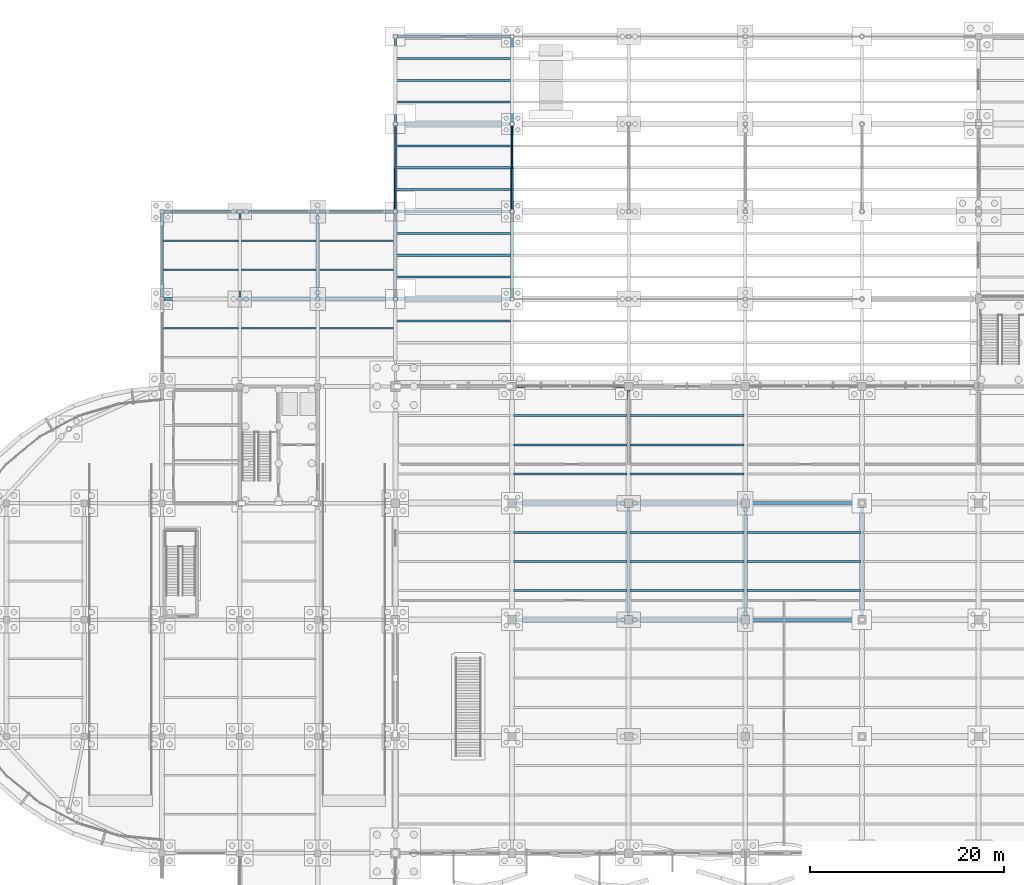
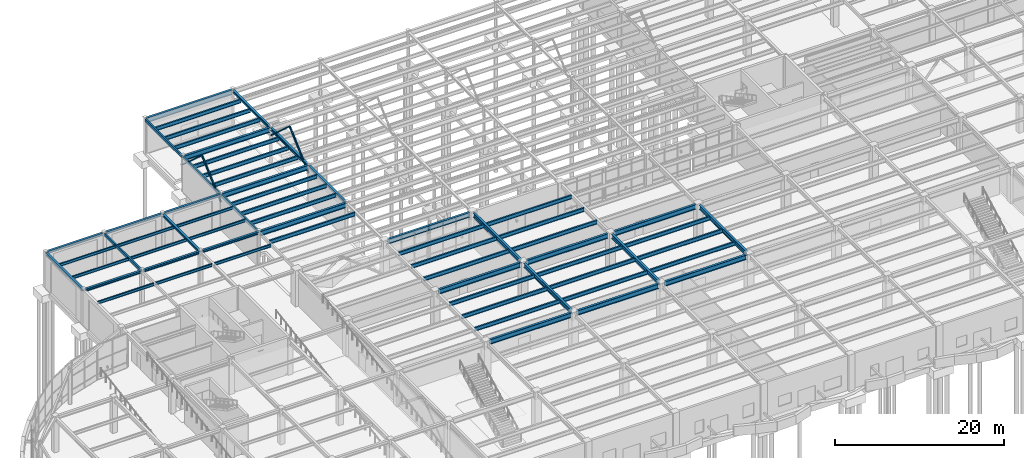
# One storey, part 35 of 85: 64 beams, 4 members.
"""IFC4 building model written with IfcOpenShell, lengths in metres."""

from ifc_helpers import new_model, si_unit, direction, frame, origin, origin_2d, place, context, subcontext, project, spatial, hollow_rectangle, hollow_circle, i_section, extrude, material, material_profile, profile_set, type_object, element, save


model = new_model("IFC4")

# Units and contexts
model_context = context("Model", 3, precision=1e-05, world=origin(), true_north=direction((0.0, 1.0)))
body_context = subcontext(model_context, "Body", "Model", "MODEL_VIEW")
ifc_project = project(units=[si_unit("LENGTHUNIT", "METRE"), si_unit("AREAUNIT", "SQUARE_METRE"), si_unit("VOLUMEUNIT", "CUBIC_METRE"), si_unit("PLANEANGLEUNIT", "RADIAN"), si_unit("MASSUNIT", "GRAM", prefix="KILO")], contexts=[model_context])

# Site, building, storey
site_placement = place(None, origin())
site = spatial("IfcSite", under=ifc_project, at=site_placement, CompositionType="ELEMENT")
building_placement = place(site_placement, origin())
building = spatial("IfcBuilding", under=site, at=building_placement, Name="Keelwater Ferry Terminal", CompositionType="ELEMENT")
storey_placement = place(building_placement, origin())
storey = spatial("IfcBuildingStorey", under=building, at=storey_placement, Name="L00", CompositionType="ELEMENT", Elevation=0.0)

# Beams
ifc_material_1 = material(Name="Steel S355", Category="steel")
ifc_material_profile_1 = material_profile(ifc_material_1, i_section(OverallWidth=0.300048828125, OverallDepth=0.699951171875, WebThickness=0.01708984375, FlangeThickness=0.031982421875, at=origin_2d()), Name="HEB 700")
ifc_profile_set_1 = profile_set([ifc_material_profile_1], Name="Steel S355")
beam_type_1 = type_object("IfcBeamType", Name="G2 HEB 700", PredefinedType="BEAM", material=ifc_profile_set_1)
for number, where, z_axis, x_axis, name in (
    (1, (60.416015625, 66.0, 4.7099609375), (1.0, 0.0, 0.0), (0.0, 1.0, 0.0), "Beam BM-L00-0055"),
    (2, (72.416015625, 66.0, 4.7099609375), (1.0, 0.0, 0.0), (0.0, 1.0, 0.0), "Beam BM-L00-0056"),
    (3, (84.416015625, 66.0, 4.7099609375), (1.0, 0.0, 0.0), (0.0, 1.0, 0.0), "Beam BM-L00-0057"),
    (4, (60.416015625, 78.0, 4.7099609375), (1.0, 0.0, 0.0), (0.0, 1.0, 0.0), "Beam BM-L00-0073"),
    (5, (72.416015625, 78.0, 4.7099609375), (1.0, 0.0, 0.0), (0.0, 1.0, 0.0), "Beam BM-L00-0074"),
    (6, (84.416015625, 78.0, 4.7099609375), (1.0, 0.0, 0.0), (0.0, 1.0, 0.0), "Beam BM-L00-0075"),
):
    element("IfcBeam", number, at=place(storey_placement, frame(where, z_axis=z_axis, x_axis=x_axis)), inside=storey, type_object=beam_type_1, Name=name, PredefinedType="BEAM", context=body_context, shape_type="SweptSolid", body=[
        extrude(i_section(OverallWidth=0.300048828125, OverallDepth=0.699951171875, WebThickness=0.01708984375, FlangeThickness=0.031982421875, at=origin_2d()), origin(), (0.0, 0.0, 1.0), 11.16796875),
    ])
beam_1_placement = place(storey_placement, frame((48.1669921875, 117.0, 4.7099609375), z_axis=(1.0, 0.0, 0.0), x_axis=(0.0, 1.0, 0.0)))
element("IfcBeam", 7, at=beam_1_placement, inside=storey, type_object=beam_type_1, Name="Beam BM-L00-0133", PredefinedType="BEAM", context=body_context, shape_type="SweptSolid", body=[
    extrude(i_section(OverallWidth=0.300048828125, OverallDepth=0.699951171875, WebThickness=0.01708984375, FlangeThickness=0.031982421875, at=origin_2d()), origin(), (0.0, 0.0, 1.0), 11.666015625),
])
ifc_material_2 = material(Name="Steel S355", Category="steel")
ifc_material_profile_2 = material_profile(ifc_material_2, i_section(OverallWidth=0.300048828125, OverallDepth=0.699951171875, WebThickness=0.01708984375, FlangeThickness=0.031982421875, at=origin_2d()), Name="HEB 700")
ifc_profile_set_2 = profile_set([ifc_material_profile_2], Name="Steel S355")
beam_type_2 = type_object("IfcBeamType", Name="G2E HEB 700", PredefinedType="BEAM", material=ifc_profile_set_2)
beam_2_placement = place(storey_placement, frame((60.416015625, 90.0, 4.7099609375), z_axis=(1.0, 0.0, 0.0), x_axis=(0.0, 1.0, 0.0)))
element("IfcBeam", 8, at=beam_2_placement, inside=storey, type_object=beam_type_2, Name="Beam BM-L00-0089", PredefinedType="BEAM", context=body_context, shape_type="SweptSolid", body=[
    extrude(i_section(OverallWidth=0.300048828125, OverallDepth=0.699951171875, WebThickness=0.01708984375, FlangeThickness=0.031982421875, at=origin_2d()), origin(), (0.0, 0.0, 1.0), 11.16796875),
])
for number, where, z_axis, x_axis, name in (
    (9, (48.1669921875, 99.0, 4.7099609375), (1.0, 0.0, 0.0), (0.0, 1.0, 0.0), "Beam BM-L00-0104"),
    (10, (48.1669921875, 108.0, 4.7099609375), (1.0, 0.0, 0.0), (0.0, 1.0, 0.0), "Beam BM-L00-0120"),
    (11, (48.1669921875, 126.0, 4.7099609375), (1.0, 0.0, 0.0), (0.0, 1.0, 0.0), "Beam BM-L00-0146"),
):
    element("IfcBeam", number, at=place(storey_placement, frame(where, z_axis=z_axis, x_axis=x_axis)), inside=storey, type_object=beam_type_2, Name=name, PredefinedType="BEAM", context=body_context, shape_type="SweptSolid", body=[
        extrude(i_section(OverallWidth=0.300048828125, OverallDepth=0.699951171875, WebThickness=0.01708984375, FlangeThickness=0.031982421875, at=origin_2d()), origin(), (0.0, 0.0, 1.0), 11.666015625),
    ])
ifc_material_3 = material(Name="Steel S355", Category="steel")
ifc_material_profile_3 = material_profile(ifc_material_3, i_section(OverallWidth=0.300048828125, OverallDepth=0.60009765625, WebThickness=0.015380859375, FlangeThickness=0.030029296875, at=origin_2d()), Name="HEB 600")
ifc_profile_set_3 = profile_set([ifc_material_profile_3], Name="Steel S355")
beam_type_3 = type_object("IfcBeamType", Name="G3 HEB 600", PredefinedType="BEAM", material=ifc_profile_set_3)
for number, where, z_axis, x_axis, name in (
    (12, (72.0, 66.416015625, 4.760009765625), (0.0, 1.0, 0.0), (-1.0, 0.0, 0.0), "Beam BM-L00-0206"),
    (13, (72.0, 78.416015625, 4.760009765625), (0.0, 1.0, 0.0), (-1.0, 0.0, 0.0), "Beam BM-L00-0207"),
    (14, (84.0, 66.416015625, 4.760009765625), (0.0, 1.0, 0.0), (-1.0, 0.0, 0.0), "Beam BM-L00-0214"),
    (15, (96.0, 66.416015625, 4.760009765625), (0.0, 1.0, 0.0), (-1.0, 0.0, 0.0), "Beam BM-L00-0222"),
):
    element("IfcBeam", number, at=place(storey_placement, frame(where, z_axis=z_axis, x_axis=x_axis)), inside=storey, type_object=beam_type_3, Name=name, PredefinedType="BEAM", context=body_context, shape_type="SweptSolid", body=[
        extrude(i_section(OverallWidth=0.300048828125, OverallDepth=0.60009765625, WebThickness=0.015380859375, FlangeThickness=0.030029296875, at=origin_2d()), origin(), (0.0, 0.0, 1.0), 11.16796875),
    ])
ifc_material_4 = material(Name="Steel S355", Category="steel")
ifc_material_profile_4 = material_profile(ifc_material_4, i_section(OverallWidth=0.300048828125, OverallDepth=0.39990234375, WebThickness=0.013427734375, FlangeThickness=0.02392578125, at=origin_2d()), Name="HEB 400")
ifc_profile_set_4 = profile_set([ifc_material_profile_4], Name="Steel S355")
beam_type_4 = type_object("IfcBeamType", Name="G7 HEB 400", PredefinedType="BEAM", material=ifc_profile_set_4)
for number, where, z_axis, x_axis, name in (
    (16, (24.0, 99.219970703125, 4.860107421875), (0.0, 1.0, 0.0), (-1.0, 0.0, 0.0), "Beam BM-L00-0163"),
    (17, (40.0, 99.219970703125, 4.860107421875), (0.0, 1.0, 0.0), (-1.0, 0.0, 0.0), "Beam BM-L00-0183"),
):
    element("IfcBeam", number, at=place(storey_placement, frame(where, z_axis=z_axis, x_axis=x_axis)), inside=storey, type_object=beam_type_4, Name=name, PredefinedType="BEAM", context=body_context, shape_type="SweptSolid", body=[
        extrude(i_section(OverallWidth=0.300048828125, OverallDepth=0.39990234375, WebThickness=0.013427734375, FlangeThickness=0.02392578125, at=origin_2d()), origin(), (0.0, 0.0, 1.0), 8.56005859375),
    ])
for number, where, z_axis, x_axis, name in (
    (18, (60.0, 99.1669921875, 4.860107421875), (0.0, 1.0, 0.0), (-1.0, 0.0, 0.0), "Beam BM-L00-0201"),
    (19, (60.0, 108.1669921875, 4.860107421875), (0.0, 1.0, 0.0), (-1.0, 0.0, 0.0), "Beam BM-L00-0202"),
    (20, (60.0, 117.1669921875, 4.860107421875), (0.0, 1.0, 0.0), (-1.0, 0.0, 0.0), "Beam BM-L00-0203"),
):
    element("IfcBeam", number, at=place(storey_placement, frame(where, z_axis=z_axis, x_axis=x_axis)), inside=storey, type_object=beam_type_4, Name=name, PredefinedType="BEAM", context=body_context, shape_type="SweptSolid", body=[
        extrude(i_section(OverallWidth=0.300048828125, OverallDepth=0.39990234375, WebThickness=0.013427734375, FlangeThickness=0.02392578125, at=origin_2d()), origin(), (0.0, 0.0, 1.0), 8.666015625),
    ])
ifc_material_5 = material(Name="Steel S355", Category="steel")
ifc_material_profile_5 = material_profile(ifc_material_5, i_section(OverallWidth=0.2099609375, OverallDepth=0.550048828125, WebThickness=0.010986328125, FlangeThickness=0.01708984375, at=origin_2d()), Name="IPE 550")
ifc_profile_set_5 = profile_set([ifc_material_profile_5], Name="Steel S355")
beam_type_5 = type_object("IfcBeamType", Name="J2 IPE 550", PredefinedType="JOIST", material=ifc_profile_set_5)
for number, where, z_axis, x_axis, name in (
    (21, (48.10009765625, 96.75, 4.784912109375), (1.0, 0.0, 0.0), (0.0, 1.0, 0.0), "Beam BM-L00-0356"),
    (22, (48.10009765625, 101.25, 4.784912109375), (1.0, 0.0, 0.0), (0.0, 1.0, 0.0), "Beam BM-L00-0357"),
    (23, (48.10009765625, 103.5, 4.784912109375), (1.0, 0.0, 0.0), (0.0, 1.0, 0.0), "Beam BM-L00-0358"),
    (24, (48.10009765625, 105.75, 4.784912109375), (1.0, 0.0, 0.0), (0.0, 1.0, 0.0), "Beam BM-L00-0359"),
    (25, (48.10009765625, 110.25, 4.784912109375), (1.0, 0.0, 0.0), (0.0, 1.0, 0.0), "Beam BM-L00-0360"),
    (26, (48.10009765625, 112.5, 4.784912109375), (1.0, 0.0, 0.0), (0.0, 1.0, 0.0), "Beam BM-L00-0361"),
    (27, (48.10009765625, 114.75, 4.784912109375), (1.0, 0.0, 0.0), (0.0, 1.0, 0.0), "Beam BM-L00-0362"),
    (28, (48.10009765625, 119.25, 4.784912109375), (1.0, 0.0, 0.0), (0.0, 1.0, 0.0), "Beam BM-L00-0363"),
    (29, (48.10009765625, 121.5, 4.784912109375), (1.0, 0.0, 0.0), (0.0, 1.0, 0.0), "Beam BM-L00-0364"),
    (30, (48.10009765625, 123.75, 4.784912109375), (1.0, 0.0, 0.0), (0.0, 1.0, 0.0), "Beam BM-L00-0365"),
):
    element("IfcBeam", number, at=place(storey_placement, frame(where, z_axis=z_axis, x_axis=x_axis)), inside=storey, type_object=beam_type_5, Name=name, PredefinedType="JOIST", context=body_context, shape_type="SweptSolid", body=[
        extrude(i_section(OverallWidth=0.2099609375, OverallDepth=0.550048828125, WebThickness=0.010986328125, FlangeThickness=0.01708984375, at=origin_2d()), origin(), (0.0, 0.0, 1.0), 11.75),
    ])
for number, where, z_axis, x_axis, name in (
    (31, (60.14990234375, 69.0, 4.784912109375), (1.0, 0.0, 0.0), (0.0, 1.0, 0.0), "Beam BM-L00-0372"),
    (32, (60.14990234375, 72.0, 4.784912109375), (1.0, 0.0, 0.0), (0.0, 1.0, 0.0), "Beam BM-L00-0373"),
    (33, (60.14990234375, 75.0, 4.784912109375), (1.0, 0.0, 0.0), (0.0, 1.0, 0.0), "Beam BM-L00-0374"),
    (34, (60.14990234375, 81.0, 4.784912109375), (1.0, 0.0, 0.0), (0.0, 1.0, 0.0), "Beam BM-L00-0375"),
    (35, (60.14990234375, 84.0, 4.784912109375), (1.0, 0.0, 0.0), (0.0, 1.0, 0.0), "Beam BM-L00-0376"),
    (36, (60.14990234375, 87.0, 4.784912109375), (1.0, 0.0, 0.0), (0.0, 1.0, 0.0), "Beam BM-L00-0377"),
    (37, (72.14990234375, 69.0, 4.784912109375), (1.0, 0.0, 0.0), (0.0, 1.0, 0.0), "Beam BM-L00-0396"),
    (38, (72.14990234375, 72.0, 4.784912109375), (1.0, 0.0, 0.0), (0.0, 1.0, 0.0), "Beam BM-L00-0397"),
    (39, (72.14990234375, 75.0, 4.784912109375), (1.0, 0.0, 0.0), (0.0, 1.0, 0.0), "Beam BM-L00-0398"),
    (40, (72.14990234375, 81.0, 4.784912109375), (1.0, 0.0, 0.0), (0.0, 1.0, 0.0), "Beam BM-L00-0399"),
    (41, (72.14990234375, 84.0, 4.784912109375), (1.0, 0.0, 0.0), (0.0, 1.0, 0.0), "Beam BM-L00-0400"),
    (42, (72.14990234375, 87.0, 4.784912109375), (1.0, 0.0, 0.0), (0.0, 1.0, 0.0), "Beam BM-L00-0401"),
    (43, (84.14990234375, 69.0, 4.784912109375), (1.0, 0.0, 0.0), (0.0, 1.0, 0.0), "Beam BM-L00-0420"),
    (44, (84.14990234375, 72.0, 4.784912109375), (1.0, 0.0, 0.0), (0.0, 1.0, 0.0), "Beam BM-L00-0421"),
    (45, (84.14990234375, 75.0, 4.784912109375), (1.0, 0.0, 0.0), (0.0, 1.0, 0.0), "Beam BM-L00-0422"),
):
    element("IfcBeam", number, at=place(storey_placement, frame(where, z_axis=z_axis, x_axis=x_axis)), inside=storey, type_object=beam_type_5, Name=name, PredefinedType="JOIST", context=body_context, shape_type="SweptSolid", body=[
        extrude(i_section(OverallWidth=0.2099609375, OverallDepth=0.550048828125, WebThickness=0.010986328125, FlangeThickness=0.01708984375, at=origin_2d()), origin(), (0.0, 0.0, 1.0), 11.7001953125),
    ])
ifc_material_6 = material(Name="Steel S355", Category="steel")
ifc_material_profile_6 = material_profile(ifc_material_6, i_section(OverallWidth=0.179931640625, OverallDepth=0.39990234375, WebThickness=0.008544921875, FlangeThickness=0.013427734375, at=origin_2d()), Name="IPE 400")
ifc_profile_set_6 = profile_set([ifc_material_profile_6], Name="Steel S355")
beam_type_6 = type_object("IfcBeamType", Name="J5 IPE 400", PredefinedType="JOIST", material=ifc_profile_set_6)
for number, where, z_axis, x_axis, name in (
    (46, (24.14990234375, 96.0, 4.860107421875), (1.0, 0.0, 0.0), (0.0, 1.0, 0.0), "Beam BM-L00-0315"),
    (47, (24.14990234375, 102.0, 4.860107421875), (1.0, 0.0, 0.0), (0.0, 1.0, 0.0), "Beam BM-L00-0316"),
    (48, (24.14990234375, 105.0, 4.860107421875), (1.0, 0.0, 0.0), (0.0, 1.0, 0.0), "Beam BM-L00-0317"),
    (49, (32.10009765625, 96.0, 4.860107421875), (1.0, 0.0, 0.0), (0.0, 1.0, 0.0), "Beam BM-L00-0333"),
    (50, (32.10009765625, 102.0, 4.860107421875), (1.0, 0.0, 0.0), (0.0, 1.0, 0.0), "Beam BM-L00-0334"),
    (51, (32.10009765625, 105.0, 4.860107421875), (1.0, 0.0, 0.0), (0.0, 1.0, 0.0), "Beam BM-L00-0335"),
    (52, (40.14990234375, 96.0, 4.860107421875), (1.0, 0.0, 0.0), (0.0, 1.0, 0.0), "Beam BM-L00-0343"),
    (53, (40.14990234375, 102.0, 4.860107421875), (1.0, 0.0, 0.0), (0.0, 1.0, 0.0), "Beam BM-L00-0344"),
    (54, (40.14990234375, 105.0, 4.860107421875), (1.0, 0.0, 0.0), (0.0, 1.0, 0.0), "Beam BM-L00-0345"),
):
    element("IfcBeam", number, at=place(storey_placement, frame(where, z_axis=z_axis, x_axis=x_axis)), inside=storey, type_object=beam_type_6, Name=name, PredefinedType="JOIST", context=body_context, shape_type="SweptSolid", body=[
        extrude(i_section(OverallWidth=0.179931640625, OverallDepth=0.39990234375, WebThickness=0.008544921875, FlangeThickness=0.013427734375, at=origin_2d()), origin(), (0.0, 0.0, 1.0), 7.75),
    ])
ifc_material_7 = material(Name="Steel S355", Category="steel")
ifc_material_profile_7 = material_profile(ifc_material_7, i_section(OverallWidth=0.300048828125, OverallDepth=0.35009765625, WebThickness=0.010009765625, FlangeThickness=0.017578125, at=origin_2d()), Name="HEA 360")
ifc_profile_set_7 = profile_set([ifc_material_profile_7], Name="Steel S355")
beam_type_7 = type_object("IfcBeamType", Name="SP1E HEA 360", PredefinedType="SPANDREL", material=ifc_profile_set_7)
for number, where, z_axis, x_axis, name in (
    (55, (24.219970703125, 99.0, 4.885009765625), (1.0, 0.0, 0.0), (0.0, 1.0, 0.0), "Beam BM-L00-0101"),
    (56, (32.219970703125, 99.0, 4.885009765625), (1.0, 0.0, 0.0), (0.0, 1.0, 0.0), "Beam BM-L00-0102"),
):
    element("IfcBeam", number, at=place(storey_placement, frame(where, z_axis=z_axis, x_axis=x_axis)), inside=storey, type_object=beam_type_7, Name=name, PredefinedType="SPANDREL", context=body_context, shape_type="SweptSolid", body=[
        extrude(i_section(OverallWidth=0.300048828125, OverallDepth=0.35009765625, WebThickness=0.010009765625, FlangeThickness=0.017578125, at=origin_2d()), origin(), (0.0, 0.0, 1.0), 7.56005859375),
    ])
beam_3_placement = place(storey_placement, frame((40.219970703125, 99.0, 4.885009765625), z_axis=(1.0, 0.0, 0.0), x_axis=(0.0, 1.0, 0.0)))
element("IfcBeam", 57, at=beam_3_placement, inside=storey, type_object=beam_type_7, Name="Beam BM-L00-0103", PredefinedType="SPANDREL", context=body_context, shape_type="SweptSolid", body=[
    extrude(i_section(OverallWidth=0.300048828125, OverallDepth=0.35009765625, WebThickness=0.010009765625, FlangeThickness=0.017578125, at=origin_2d()), origin(), (0.0, 0.0, 1.0), 7.613037109375),
])
for number, where, z_axis, x_axis, name in (
    (58, (24.219970703125, 108.0, 4.885009765625), (1.0, 0.0, 0.0), (0.0, 1.0, 0.0), "Beam BM-L00-0117"),
    (59, (32.219970703125, 108.0, 4.885009765625), (1.0, 0.0, 0.0), (0.0, 1.0, 0.0), "Beam BM-L00-0118"),
):
    element("IfcBeam", number, at=place(storey_placement, frame(where, z_axis=z_axis, x_axis=x_axis)), inside=storey, type_object=beam_type_7, Name=name, PredefinedType="SPANDREL", context=body_context, shape_type="SweptSolid", body=[
        extrude(i_section(OverallWidth=0.300048828125, OverallDepth=0.35009765625, WebThickness=0.010009765625, FlangeThickness=0.017578125, at=origin_2d()), origin(), (0.0, 0.0, 1.0), 7.56005859375),
    ])
beam_4_placement = place(storey_placement, frame((40.219970703125, 108.0, 4.885009765625), z_axis=(1.0, 0.0, 0.0), x_axis=(0.0, 1.0, 0.0)))
element("IfcBeam", 60, at=beam_4_placement, inside=storey, type_object=beam_type_7, Name="Beam BM-L00-0119", PredefinedType="SPANDREL", context=body_context, shape_type="SweptSolid", body=[
    extrude(i_section(OverallWidth=0.300048828125, OverallDepth=0.35009765625, WebThickness=0.010009765625, FlangeThickness=0.017578125, at=origin_2d()), origin(), (0.0, 0.0, 1.0), 7.613037109375),
])
ifc_material_8 = material(Name="Steel S355", Category="steel")
ifc_material_profile_8 = material_profile(ifc_material_8, hollow_rectangle(XDim=0.199951171875, YDim=0.39990234375, WallThickness=0.01611328125, at=origin_2d()), Name="RHS 400x200x16")
ifc_profile_set_8 = profile_set([ifc_material_profile_8], Name="Steel S355")
beam_type_8 = type_object("IfcBeamType", Name="SP3E RHS 400x200x16", PredefinedType="SPANDREL", material=ifc_profile_set_8)
beam_5_placement = place(storey_placement, frame((32.0, 99.219970703125, 4.860107421875), z_axis=(0.0, 1.0, 0.0), x_axis=(-1.0, 0.0, 0.0)))
element("IfcBeam", 61, at=beam_5_placement, inside=storey, type_object=beam_type_8, Name="Beam BM-L00-0173", PredefinedType="SPANDREL", context=body_context, shape_type="SweptSolid", body=[
    extrude(hollow_rectangle(XDim=0.199951171875, YDim=0.39990234375, WallThickness=0.01611328125, at=origin_2d()), origin(), (0.0, 0.0, 1.0), 8.56005859375),
])
for number, where, z_axis, x_axis, name in (
    (62, (48.0, 99.1669921875, 4.860107421875), (0.0, 1.0, 0.0), (-1.0, 0.0, 0.0), "Beam BM-L00-0193"),
    (63, (48.0, 108.1669921875, 4.860107421875), (0.0, 1.0, 0.0), (-1.0, 0.0, 0.0), "Beam BM-L00-0194"),
    (64, (48.0, 117.1669921875, 4.860107421875), (0.0, 1.0, 0.0), (-1.0, 0.0, 0.0), "Beam BM-L00-0195"),
):
    element("IfcBeam", number, at=place(storey_placement, frame(where, z_axis=z_axis, x_axis=x_axis)), inside=storey, type_object=beam_type_8, Name=name, PredefinedType="SPANDREL", context=body_context, shape_type="SweptSolid", body=[
        extrude(hollow_rectangle(XDim=0.199951171875, YDim=0.39990234375, WallThickness=0.01611328125, at=origin_2d()), origin(), (0.0, 0.0, 1.0), 8.666015625),
    ])

# Members
ifc_material_9 = material(Name="Steel S355", Category="steel")
ifc_material_profile_9 = material_profile(ifc_material_9, hollow_circle(Radius=0.136474609375, WallThickness=0.012451171875, at=origin_2d()), Name="CHS 273x12.5")
ifc_profile_set_9 = profile_set([ifc_material_profile_9], Name="Steel S355")
member_type_1 = type_object("IfcMemberType", Name="ST1E CHS 273x12.5", PredefinedType="STRUT", material=ifc_profile_set_9)
for number, where, z_axis, x_axis, name in (
    (65, (48.0, 108.0, 3.800048828125), (0.0, 0.743290135906, 0.66896918753), (-1.0, 0.0, 0.0), "Structural Member MB-L00-0486"),
    (66, (60.0, 108.0, 3.800048828125), (0.0, 0.743290135906, 0.66896918753), (-1.0, 0.0, 0.0), "Structural Member MB-L00-0490"),
):
    element("IfcMember", number, at=place(storey_placement, frame(where, z_axis=z_axis, x_axis=x_axis)), inside=storey, type_object=member_type_1, Name=name, PredefinedType="STRUT", context=body_context, shape_type="SweptSolid", body=[
        extrude(hollow_circle(Radius=0.136474609375, WallThickness=0.012451171875, at=origin_2d()), origin(), (0.0, 0.0, 1.0), 6.05419921875),
    ])
ifc_material_10 = material(Name="Steel S355", Category="steel")
ifc_material_profile_10 = material_profile(ifc_material_10, hollow_circle(Radius=0.096923828125, WallThickness=0.010009765625, at=origin_2d()), Name="CHS 193.7x10")
ifc_profile_set_10 = profile_set([ifc_material_profile_10], Name="Steel S355")
member_type_2 = type_object("IfcMemberType", Name="ST2E CHS 193.7x10", PredefinedType="STRUT", material=ifc_profile_set_10)
for number, where, z_axis, x_axis, name in (
    (67, (48.0, 117.0, 3.800048828125), (0.0, -0.743290135906, 0.66896918753), (1.0, 0.0, 0.0), "Structural Member MB-L00-0487"),
    (68, (60.0, 117.0, 3.800048828125), (0.0, -0.743290135906, 0.66896918753), (1.0, 0.0, 0.0), "Structural Member MB-L00-0491"),
):
    element("IfcMember", number, at=place(storey_placement, frame(where, z_axis=z_axis, x_axis=x_axis)), inside=storey, type_object=member_type_2, Name=name, PredefinedType="STRUT", context=body_context, shape_type="SweptSolid", body=[
        extrude(hollow_circle(Radius=0.096923828125, WallThickness=0.010009765625, at=origin_2d()), origin(), (0.0, 0.0, 1.0), 6.05419921875),
    ])

save(model, "model.ifc")
